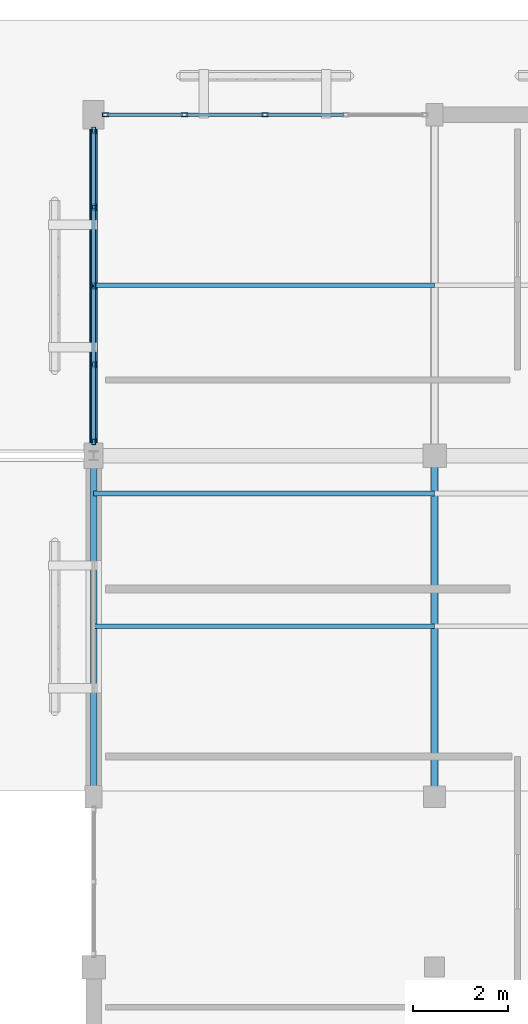
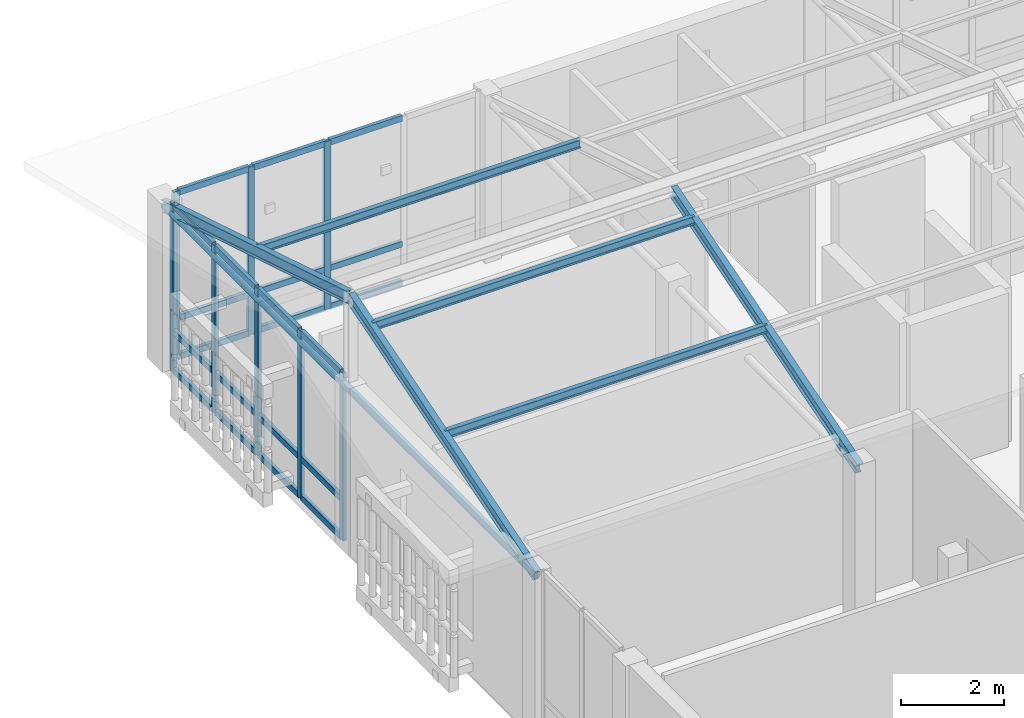
# One storey, part 33 of 61: 36 members, 2 elements without a shape of their own.
"""IFC4 building model written with IfcOpenShell, lengths in metres."""

import ifcopenshell
import ifcopenshell.guid

model = None  # the IFC model being written
_history = None  # IfcOwnerHistory: only IFC2X3 demands one
_inside = {}  # id of a spatial element -> (the spatial element, [elements in it])
_under = {}  # id of a project, library or spatial element -> (it, [spatial elements below it])
_declared = {}  # id of a project -> (the project, [libraries it declares])
_typed = {}  # id of a type object -> (the type object, [elements of that type])
_made_of = {}  # id of a material, layer set ... -> (it, [elements and type objects made of it])


def new_model(schema):
    """Start an empty IFC model of exactly this schema.

    Asked for "IFC4X3", IfcOpenShell would pick the latest addendum, in which some entities
    have other attributes; the version numbers below select the first issue.
    IFC2X3 requires an IfcOwnerHistory on every rooted entity: one is made here for all.
    """
    global model, _history
    if schema == "IFC4X3":
        model = ifcopenshell.file(schema_version=(4, 3, 0, 0))
    else:
        model = ifcopenshell.file(schema=schema)
    _inside.clear()
    _under.clear()
    _declared.clear()
    _typed.clear()
    _made_of.clear()
    _history = None
    if model.schema == "IFC2X3":
        org = make("IfcOrganization", Name="unknown")
        user = make(
            "IfcPersonAndOrganization",
            ThePerson=make("IfcPerson", FamilyName="unknown"),
            TheOrganization=org,
        )
        app = make(
            "IfcApplication",
            ApplicationDeveloper=org,
            Version="unknown",
            ApplicationFullName="unknown",
            ApplicationIdentifier="unknown",
        )
        _history = make(
            "IfcOwnerHistory",
            OwningUser=user,
            OwningApplication=app,
            ChangeAction="ADDED",
            CreationDate=0,
        )
    return model


def make(cls, **values):
    """One entity of the class cls with the attributes given. An attribute that is None is left unset."""
    return model.create_entity(
        cls, **{name: value for name, value in values.items() if value is not None}
    )


def rooted(cls, **values):
    """An entity with a GlobalId (a new one), such as an element, a storey or a relation."""
    return make(cls, GlobalId=ifcopenshell.guid.new(), OwnerHistory=_history, **values)


def si_unit(unit_type, name, prefix=None):
    """IfcSIUnit, for example si_unit("LENGTHUNIT", "METRE", prefix="MILLI")."""
    return make("IfcSIUnit", UnitType=unit_type, Prefix=prefix, Name=name)


def assignment(units):
    """IfcUnitAssignment: the units of a project."""
    return None if units is None else make("IfcUnitAssignment", Units=units)


def point(xyz):
    """IfcCartesianPoint."""
    return None if xyz is None else make("IfcCartesianPoint", Coordinates=xyz)


def direction(xyz):
    """IfcDirection."""
    return None if xyz is None else make("IfcDirection", DirectionRatios=xyz)


def frame(location, z_axis=None, x_axis=None):
    """IfcAxis2Placement3D, a coordinate frame: its origin and axes. An axis left out is left unset."""
    return make(
        "IfcAxis2Placement3D",
        Location=point(location),
        Axis=direction(z_axis),
        RefDirection=direction(x_axis),
    )


def frame_2d(location, x_axis=None):
    """IfcAxis2Placement2D, a coordinate frame in the plane: its origin and x axis."""
    return make(
        "IfcAxis2Placement2D", Location=point(location), RefDirection=direction(x_axis)
    )


def origin():
    """The frame at (0, 0, 0) with its axes left unset."""
    return frame((0.0, 0.0, 0.0))


def origin_2d():
    """The frame at (0, 0) in the plane with its x axis left unset."""
    return frame_2d((0.0, 0.0))


def place(relative_to, where):
    """IfcLocalPlacement: puts the frame where relative to a parent placement (None: the world)."""
    return make(
        "IfcLocalPlacement", PlacementRelTo=relative_to, RelativePlacement=where
    )


def context(
    kind, dimensions, precision=None, world=None, true_north=None, identifier=None
):
    """IfcGeometricRepresentationContext, for example the 3D "Model" context."""
    return make(
        "IfcGeometricRepresentationContext",
        ContextIdentifier=identifier,
        ContextType=kind,
        CoordinateSpaceDimension=dimensions,
        Precision=precision,
        WorldCoordinateSystem=world,
        TrueNorth=true_north,
    )


def subcontext(parent, identifier, kind, view, scale=None):
    """IfcGeometricRepresentationSubContext, for example "Body" below "Model"."""
    return make(
        "IfcGeometricRepresentationSubContext",
        ContextIdentifier=identifier,
        ContextType=kind,
        ParentContext=parent,
        TargetScale=scale,
        TargetView=view,
    )


def project(units=None, contexts=None):
    """IfcProject with its units and contexts."""
    return rooted(
        "IfcProject",
        Name="project",
        RepresentationContexts=contexts,
        UnitsInContext=assignment(units),
    )


def spatial(cls, under=None, at=None, **own):
    """A site, building, storey or space (cls), placed at a placement, below another one or the project."""
    s = rooted(cls, ObjectPlacement=at, **own)
    if under is not None:
        _under.setdefault(under.id(), (under, []))[1].append(s)
    return s


def profile(cls, at=None, kind="AREA", **sizes):
    """A parametric profile (cls). Its sizes go by their IFC names, for example OverallWidth=200.0."""
    return make(cls, ProfileType=kind, Position=at, **sizes)


def hollow_rectangle(**sizes):
    """IfcRectangleHollowProfileDef."""
    return profile("IfcRectangleHollowProfileDef", **sizes)


def hollow_circle(**sizes):
    """IfcCircleHollowProfileDef."""
    return profile("IfcCircleHollowProfileDef", **sizes)


def i_section(**sizes):
    """IfcIShapeProfileDef."""
    return profile("IfcIShapeProfileDef", **sizes)


def extrude(swept, where, along, depth):
    """IfcExtrudedAreaSolid: the profile swept, set in the frame where, extruded along a direction by depth."""
    return make(
        "IfcExtrudedAreaSolid",
        SweptArea=swept,
        Position=where,
        ExtrudedDirection=direction(along),
        Depth=depth,
    )


def shape(context_of_items, identifier, shape_type, items):
    """IfcShapeRepresentation: the items that make up one representation, for example the "Body"."""
    return make(
        "IfcShapeRepresentation",
        ContextOfItems=context_of_items,
        RepresentationIdentifier=identifier,
        RepresentationType=shape_type,
        Items=items,
    )


def material(Name=None, Category=None):
    """IfcMaterial."""
    return make("IfcMaterial", Name=Name, Category=Category)


def layer(
    of_material, thickness, ventilated=None, Name=None, Category=None, Priority=None
):
    """IfcMaterialLayer: one layer of a wall or slab, of a material (None: an air gap)."""
    return make(
        "IfcMaterialLayer",
        Material=of_material,
        LayerThickness=thickness,
        IsVentilated=ventilated,
        Name=Name,
        Category=Category,
        Priority=Priority,
    )


def layer_set(layers, Name=None):
    """IfcMaterialLayerSet."""
    return make("IfcMaterialLayerSet", MaterialLayers=layers, LayerSetName=Name)


def material_profile(
    of_material, cross_section, Name=None, Category=None, Priority=None
):
    """IfcMaterialProfile: a cross section and its material."""
    return make(
        "IfcMaterialProfile",
        Name=Name,
        Material=of_material,
        Profile=cross_section,
        Priority=Priority,
        Category=Category,
    )


def profile_set(profiles, Name=None, composite=None):
    """IfcMaterialProfileSet."""
    return make(
        "IfcMaterialProfileSet",
        Name=Name,
        MaterialProfiles=profiles,
        CompositeProfile=composite,
    )


def made_of(thing, what):
    """Note that an element or type object is made of a material, layer set ...; save() writes the relation."""
    if what is not None:
        _made_of.setdefault(what.id(), (what, []))[1].append(thing)
    return thing


def type_object(cls, material=None, **own):
    """A type object (cls), such as IfcWallType, which elements share."""
    return made_of(rooted(cls, **own), material)


def element(
    cls,
    number,
    at=None,
    inside=None,
    cuts=None,
    type_object=None,
    material=None,
    context=None,
    identifier="Body",
    shape_type=None,
    held_by="IfcProductDefinitionShape",
    body=None,
    shapes=None,
    **own,
):
    """One element of the class cls, such as IfcWall. Its Tag is "e" and its number.

    at: its placement. inside: the storey or other place that contains it. cuts: it is an
    opening in that element (IfcRelVoidsElement). A single representation is given by context,
    identifier, shape_type and body (its items); several are given by shapes. held_by: the class
    of the entity that holds the representations. save() writes the other relations.
    """
    e = rooted(cls, Tag="e%d" % number, ObjectPlacement=at, **own)
    if body is not None:
        shapes = [shape(context, identifier, shape_type, body)]
    if shapes is not None:
        e.Representation = make(held_by, Representations=shapes)
    if inside is not None:
        _inside.setdefault(inside.id(), (inside, []))[1].append(e)
    if cuts is not None:
        rooted(
            "IfcRelVoidsElement", RelatingBuildingElement=cuts, RelatedOpeningElement=e
        )
    if type_object is not None:
        _typed.setdefault(type_object.id(), (type_object, []))[1].append(e)
    return made_of(e, material)


def aggregate(whole, parts):
    """IfcRelAggregates: a whole, such as a stair, and the parts it consists of."""
    return rooted("IfcRelAggregates", RelatingObject=whole, RelatedObjects=parts)


def save(model, path):
    """Write the relations noted so far, then the file.

    IfcRelAggregates (storeys below a building ...), IfcRelContainedInSpatialStructure (elements
    in a storey), IfcRelDefinesByType, IfcRelAssociatesMaterial and IfcRelDeclares: one each for
    every whole, place, type object, material and project.
    """
    for whole, parts in _under.values():
        aggregate(whole, parts)
    for where, things in _inside.values():
        rooted(
            "IfcRelContainedInSpatialStructure",
            RelatedElements=things,
            RelatingStructure=where,
        )
    for kind, things in _typed.values():
        rooted("IfcRelDefinesByType", RelatedObjects=things, RelatingType=kind)
    for what, things in _made_of.values():
        rooted("IfcRelAssociatesMaterial", RelatedObjects=things, RelatingMaterial=what)
    for by, libraries in _declared.values():
        rooted("IfcRelDeclares", RelatingContext=by, RelatedDefinitions=libraries)
    model.write(path)


model = new_model("IFC4")

# Units and contexts
model_context = context("Model", 3, precision=1e-05, world=origin(), true_north=direction((0.0, 1.0)))
body_context = subcontext(model_context, "Body", "Model", "MODEL_VIEW")
ifc_project = project(units=[si_unit("LENGTHUNIT", "METRE"), si_unit("AREAUNIT", "SQUARE_METRE"), si_unit("VOLUMEUNIT", "CUBIC_METRE"), si_unit("PLANEANGLEUNIT", "RADIAN"), si_unit("MASSUNIT", "GRAM", prefix="KILO")], contexts=[model_context])

# Site, building, storey
site_placement = place(None, origin())
site = spatial("IfcSite", under=ifc_project, at=site_placement, CompositionType="ELEMENT")
building_placement = place(site_placement, origin())
building = spatial("IfcBuilding", under=site, at=building_placement, Name="Mazaris Harbour Polytechnic", CompositionType="ELEMENT")
storey_placement = place(building_placement, frame((0.0, 0.0, 18.0)))
storey = spatial("IfcBuildingStorey", under=building, at=storey_placement, Name="L04", CompositionType="ELEMENT", Elevation=18.0)

# Curtain wall, members
ifc_material_1 = material(Name="Anodised Bronze Aluminium and Low-E Glass", Category="aluminium")
ifc_layer = layer(ifc_material_1, 0.169921875, Name="Anodised Bronze Aluminium and Low-E Glass")
ifc_layer_set = layer_set([ifc_layer], Name="Anodised Bronze Aluminium and Low-E Glass")
curtain_wall_type = type_object("IfcCurtainWallType", Name="Studio North-Light Curtain Wall", PredefinedType="NOTDEFINED", material=ifc_layer_set)
curtain_wall_1_placement = place(storey_placement, origin())
curtain_wall_1 = element("IfcCurtainWall", 1, at=curtain_wall_1_placement, inside=storey, type_object=curtain_wall_type, Name="V5 L04 Curtain Wall 271", PredefinedType="NOTDEFINED")
ifc_material_2 = material(Name="Anodised Bronze Steel S355", Category="steel")
ifc_material_profile_1 = material_profile(ifc_material_2, hollow_rectangle(XDim=0.080078125, YDim=0.139892578125, WallThickness=0.00634765625, at=origin_2d()), Name="RHS 80x140x6.3")
ifc_profile_set_1 = profile_set([ifc_material_profile_1], Name="Anodised Bronze Steel S355")
member_type_1 = type_object("IfcMemberType", Name="Curtain Mullion RHS80x140", PredefinedType="MULLION", material=ifc_profile_set_1)
member_1_placement = place(storey_placement, frame((122.652099609375, 100.800048828125, 0.0), z_axis=(0.0, 0.0, 1.0), x_axis=(0.0, 1.0, 0.0)))
member_1 = element("IfcMember", 2, at=member_1_placement, type_object=member_type_1, Name="CW-03 mullion 1", PredefinedType="MULLION", context=body_context, shape_type="SweptSolid", body=[
    extrude(hollow_rectangle(XDim=0.080078125, YDim=0.139892578125, WallThickness=0.00634765625, at=origin_2d()), origin(), (0.0, 0.0, 1.0), 3.9599609375),
])
member_2_placement = place(storey_placement, frame((124.31591796875, 100.800048828125, 0.0), z_axis=(0.0, 0.0, 1.0), x_axis=(0.0, 1.0, 0.0)))
member_2 = element("IfcMember", 3, at=member_2_placement, type_object=member_type_1, Name="CW-03 mullion 2", PredefinedType="MULLION", context=body_context, shape_type="SweptSolid", body=[
    extrude(hollow_rectangle(XDim=0.080078125, YDim=0.139892578125, WallThickness=0.00634765625, at=origin_2d()), origin(), (0.0, 0.0, 1.0), 3.9599609375),
])
member_3_placement = place(storey_placement, frame((126.02001953125, 100.800048828125, 0.0), z_axis=(0.0, 0.0, 1.0), x_axis=(0.0, 1.0, 0.0)))
member_3 = element("IfcMember", 4, at=member_3_placement, type_object=member_type_1, Name="CW-03 mullion 3", PredefinedType="MULLION", context=body_context, shape_type="SweptSolid", body=[
    extrude(hollow_rectangle(XDim=0.080078125, YDim=0.139892578125, WallThickness=0.00634765625, at=origin_2d()), origin(), (0.0, 0.0, 1.0), 3.9599609375),
])

curtain_wall_2_placement = place(storey_placement, origin())
curtain_wall_2 = element("IfcCurtainWall", 5, at=curtain_wall_2_placement, inside=storey, type_object=curtain_wall_type, Name="V5 L04 Curtain Wall 277", PredefinedType="NOTDEFINED")
member_4_placement = place(storey_placement, frame((122.39990234375, 93.902099609375, 0.0), z_axis=(0.0, 0.0, 1.0), x_axis=(-1.0, 0.0, 0.0)))
member_4 = element("IfcMember", 6, at=member_4_placement, type_object=member_type_1, Name="CW-03 mullion 1", PredefinedType="MULLION", context=body_context, shape_type="SweptSolid", body=[
    extrude(hollow_rectangle(XDim=0.080078125, YDim=0.139892578125, WallThickness=0.00634765625, at=origin_2d()), origin(), (0.0, 0.0, 1.0), 3.9599609375),
])
member_5_placement = place(storey_placement, frame((122.39990234375, 95.5234375, 0.0), z_axis=(0.0, 0.0, 1.0), x_axis=(-1.0, 0.0, 0.0)))
member_5 = element("IfcMember", 7, at=member_5_placement, type_object=member_type_1, Name="CW-03 mullion 2", PredefinedType="MULLION", context=body_context, shape_type="SweptSolid", body=[
    extrude(hollow_rectangle(XDim=0.080078125, YDim=0.139892578125, WallThickness=0.00634765625, at=origin_2d()), origin(), (0.0, 0.0, 1.0), 3.9599609375),
])
member_6_placement = place(storey_placement, frame((122.39990234375, 97.18505859375, 0.0), z_axis=(0.0, 0.0, 1.0), x_axis=(-1.0, 0.0, 0.0)))
member_6 = element("IfcMember", 8, at=member_6_placement, type_object=member_type_1, Name="CW-03 mullion 3", PredefinedType="MULLION", context=body_context, shape_type="SweptSolid", body=[
    extrude(hollow_rectangle(XDim=0.080078125, YDim=0.139892578125, WallThickness=0.00634765625, at=origin_2d()), origin(), (0.0, 0.0, 1.0), 3.9599609375),
])
member_7_placement = place(storey_placement, frame((122.39990234375, 98.846435546875, 0.0), z_axis=(0.0, 0.0, 1.0), x_axis=(-1.0, 0.0, 0.0)))
member_7 = element("IfcMember", 9, at=member_7_placement, type_object=member_type_1, Name="CW-03 mullion 4", PredefinedType="MULLION", context=body_context, shape_type="SweptSolid", body=[
    extrude(hollow_rectangle(XDim=0.080078125, YDim=0.139892578125, WallThickness=0.00634765625, at=origin_2d()), origin(), (0.0, 0.0, 1.0), 3.9599609375),
])
member_8_placement = place(storey_placement, frame((122.39990234375, 100.468017578125, 0.0), z_axis=(0.0, 0.0, 1.0), x_axis=(-1.0, 0.0, 0.0)))
member_8 = element("IfcMember", 10, at=member_8_placement, type_object=member_type_1, Name="CW-03 mullion 5", PredefinedType="MULLION", context=body_context, shape_type="SweptSolid", body=[
    extrude(hollow_rectangle(XDim=0.080078125, YDim=0.139892578125, WallThickness=0.00634765625, at=origin_2d()), origin(), (0.0, 0.0, 1.0), 3.9599609375),
])

# Member
ifc_material_3 = material(Name="Anodised Bronze Steel S355", Category="steel")
ifc_material_profile_2 = material_profile(ifc_material_3, hollow_rectangle(XDim=0.080078125, YDim=0.139892578125, WallThickness=0.00634765625, at=origin_2d()), Name="RHS 80x140x6.3")
ifc_profile_set_2 = profile_set([ifc_material_profile_2], Name="Anodised Bronze Steel S355")
member_type_2 = type_object("IfcMemberType", Name="Curtain Transom RHS80x140", PredefinedType="USERDEFINED", material=ifc_profile_set_2)
member_9_placement = place(storey_placement, frame((122.69189453125, 100.800048828125, 0.0400390625), z_axis=(1.0, 0.0, 0.0), x_axis=(0.0, 1.0, 0.0)))
member_9 = element("IfcMember", 11, at=member_9_placement, type_object=member_type_2, Name="CW-03 transom 1.1", ObjectType="TRANSOM", PredefinedType="USERDEFINED", context=body_context, shape_type="SweptSolid", body=[
    extrude(hollow_rectangle(XDim=0.080078125, YDim=0.139892578125, WallThickness=0.00634765625, at=origin_2d()), origin(), (0.0, 0.0, 1.0), 1.583984375),
])

member_10_placement = place(storey_placement, frame((122.69189453125, 100.800048828125, 0.949951171875), z_axis=(1.0, 0.0, 0.0), x_axis=(0.0, 1.0, 0.0)))
member_10 = element("IfcMember", 12, at=member_10_placement, type_object=member_type_2, Name="CW-03 transom 1.2", ObjectType="TRANSOM", PredefinedType="USERDEFINED", context=body_context, shape_type="SweptSolid", body=[
    extrude(hollow_rectangle(XDim=0.080078125, YDim=0.139892578125, WallThickness=0.00634765625, at=origin_2d()), origin(), (0.0, 0.0, 1.0), 1.583984375),
])

member_11_placement = place(storey_placement, frame((122.69189453125, 100.800048828125, 3.919921875), z_axis=(1.0, 0.0, 0.0), x_axis=(0.0, 1.0, 0.0)))
member_11 = element("IfcMember", 13, at=member_11_placement, type_object=member_type_2, Name="CW-03 transom 1.3", ObjectType="TRANSOM", PredefinedType="USERDEFINED", context=body_context, shape_type="SweptSolid", body=[
    extrude(hollow_rectangle(XDim=0.080078125, YDim=0.139892578125, WallThickness=0.00634765625, at=origin_2d()), origin(), (0.0, 0.0, 1.0), 1.583984375),
])

member_12_placement = place(storey_placement, frame((124.35595703125, 100.800048828125, 0.0400390625), z_axis=(1.0, 0.0, 0.0), x_axis=(0.0, 1.0, 0.0)))
member_12 = element("IfcMember", 14, at=member_12_placement, type_object=member_type_2, Name="CW-03 transom 2.1", ObjectType="TRANSOM", PredefinedType="USERDEFINED", context=body_context, shape_type="SweptSolid", body=[
    extrude(hollow_rectangle(XDim=0.080078125, YDim=0.139892578125, WallThickness=0.00634765625, at=origin_2d()), origin(), (0.0, 0.0, 1.0), 1.6240234375),
])

member_13_placement = place(storey_placement, frame((124.35595703125, 100.800048828125, 0.949951171875), z_axis=(1.0, 0.0, 0.0), x_axis=(0.0, 1.0, 0.0)))
member_13 = element("IfcMember", 15, at=member_13_placement, type_object=member_type_2, Name="CW-03 transom 2.2", ObjectType="TRANSOM", PredefinedType="USERDEFINED", context=body_context, shape_type="SweptSolid", body=[
    extrude(hollow_rectangle(XDim=0.080078125, YDim=0.139892578125, WallThickness=0.00634765625, at=origin_2d()), origin(), (0.0, 0.0, 1.0), 1.6240234375),
])

member_14_placement = place(storey_placement, frame((124.35595703125, 100.800048828125, 3.919921875), z_axis=(1.0, 0.0, 0.0), x_axis=(0.0, 1.0, 0.0)))
member_14 = element("IfcMember", 16, at=member_14_placement, type_object=member_type_2, Name="CW-03 transom 2.3", ObjectType="TRANSOM", PredefinedType="USERDEFINED", context=body_context, shape_type="SweptSolid", body=[
    extrude(hollow_rectangle(XDim=0.080078125, YDim=0.139892578125, WallThickness=0.00634765625, at=origin_2d()), origin(), (0.0, 0.0, 1.0), 1.6240234375),
])

member_15_placement = place(storey_placement, frame((126.06005859375, 100.800048828125, 0.0400390625), z_axis=(1.0, 0.0, 0.0), x_axis=(0.0, 1.0, 0.0)))
member_15 = element("IfcMember", 17, at=member_15_placement, type_object=member_type_2, Name="CW-03 transom 3.1", ObjectType="TRANSOM", PredefinedType="USERDEFINED", context=body_context, shape_type="SweptSolid", body=[
    extrude(hollow_rectangle(XDim=0.080078125, YDim=0.139892578125, WallThickness=0.00634765625, at=origin_2d()), origin(), (0.0, 0.0, 1.0), 1.6240234375),
])

member_16_placement = place(storey_placement, frame((126.06005859375, 100.800048828125, 0.949951171875), z_axis=(1.0, 0.0, 0.0), x_axis=(0.0, 1.0, 0.0)))
member_16 = element("IfcMember", 18, at=member_16_placement, type_object=member_type_2, Name="CW-03 transom 3.2", ObjectType="TRANSOM", PredefinedType="USERDEFINED", context=body_context, shape_type="SweptSolid", body=[
    extrude(hollow_rectangle(XDim=0.080078125, YDim=0.139892578125, WallThickness=0.00634765625, at=origin_2d()), origin(), (0.0, 0.0, 1.0), 1.6240234375),
])

member_17_placement = place(storey_placement, frame((126.06005859375, 100.800048828125, 3.919921875), z_axis=(1.0, 0.0, 0.0), x_axis=(0.0, 1.0, 0.0)))
member_17 = element("IfcMember", 19, at=member_17_placement, type_object=member_type_2, Name="CW-03 transom 3.3", ObjectType="TRANSOM", PredefinedType="USERDEFINED", context=body_context, shape_type="SweptSolid", body=[
    extrude(hollow_rectangle(XDim=0.080078125, YDim=0.139892578125, WallThickness=0.00634765625, at=origin_2d()), origin(), (0.0, 0.0, 1.0), 1.6240234375),
])

aggregate(curtain_wall_1, [member_1, member_2, member_3, member_9, member_10, member_11, member_12, member_13, member_14, member_15, member_16, member_17])

member_18_placement = place(storey_placement, frame((122.39990234375, 93.94189453125, 0.0400390625), z_axis=(0.0, 1.0, 0.0), x_axis=(-1.0, 0.0, 0.0)))
member_18 = element("IfcMember", 20, at=member_18_placement, type_object=member_type_2, Name="CW-03 transom 1.1", ObjectType="TRANSOM", PredefinedType="USERDEFINED", context=body_context, shape_type="SweptSolid", body=[
    extrude(hollow_rectangle(XDim=0.080078125, YDim=0.139892578125, WallThickness=0.00634765625, at=origin_2d()), origin(), (0.0, 0.0, 1.0), 1.54150390625),
])

member_19_placement = place(storey_placement, frame((122.39990234375, 93.94189453125, 0.949951171875), z_axis=(0.0, 1.0, 0.0), x_axis=(-1.0, 0.0, 0.0)))
member_19 = element("IfcMember", 21, at=member_19_placement, type_object=member_type_2, Name="CW-03 transom 1.2", ObjectType="TRANSOM", PredefinedType="USERDEFINED", context=body_context, shape_type="SweptSolid", body=[
    extrude(hollow_rectangle(XDim=0.080078125, YDim=0.139892578125, WallThickness=0.00634765625, at=origin_2d()), origin(), (0.0, 0.0, 1.0), 1.54150390625),
])

member_20_placement = place(storey_placement, frame((122.39990234375, 93.94189453125, 3.919921875), z_axis=(0.0, 1.0, 0.0), x_axis=(-1.0, 0.0, 0.0)))
member_20 = element("IfcMember", 22, at=member_20_placement, type_object=member_type_2, Name="CW-03 transom 1.3", ObjectType="TRANSOM", PredefinedType="USERDEFINED", context=body_context, shape_type="SweptSolid", body=[
    extrude(hollow_rectangle(XDim=0.080078125, YDim=0.139892578125, WallThickness=0.00634765625, at=origin_2d()), origin(), (0.0, 0.0, 1.0), 1.54150390625),
])

member_21_placement = place(storey_placement, frame((122.39990234375, 95.5634765625, 0.0400390625), z_axis=(0.0, 1.0, 0.0), x_axis=(-1.0, 0.0, 0.0)))
member_21 = element("IfcMember", 23, at=member_21_placement, type_object=member_type_2, Name="CW-03 transom 2.1", ObjectType="TRANSOM", PredefinedType="USERDEFINED", context=body_context, shape_type="SweptSolid", body=[
    extrude(hollow_rectangle(XDim=0.080078125, YDim=0.139892578125, WallThickness=0.00634765625, at=origin_2d()), origin(), (0.0, 0.0, 1.0), 1.58154296875),
])

member_22_placement = place(storey_placement, frame((122.39990234375, 95.5634765625, 0.949951171875), z_axis=(0.0, 1.0, 0.0), x_axis=(-1.0, 0.0, 0.0)))
member_22 = element("IfcMember", 24, at=member_22_placement, type_object=member_type_2, Name="CW-03 transom 2.2", ObjectType="TRANSOM", PredefinedType="USERDEFINED", context=body_context, shape_type="SweptSolid", body=[
    extrude(hollow_rectangle(XDim=0.080078125, YDim=0.139892578125, WallThickness=0.00634765625, at=origin_2d()), origin(), (0.0, 0.0, 1.0), 1.58154296875),
])

member_23_placement = place(storey_placement, frame((122.39990234375, 95.5634765625, 3.919921875), z_axis=(0.0, 1.0, 0.0), x_axis=(-1.0, 0.0, 0.0)))
member_23 = element("IfcMember", 25, at=member_23_placement, type_object=member_type_2, Name="CW-03 transom 2.3", ObjectType="TRANSOM", PredefinedType="USERDEFINED", context=body_context, shape_type="SweptSolid", body=[
    extrude(hollow_rectangle(XDim=0.080078125, YDim=0.139892578125, WallThickness=0.00634765625, at=origin_2d()), origin(), (0.0, 0.0, 1.0), 1.58154296875),
])

member_24_placement = place(storey_placement, frame((122.39990234375, 97.22509765625, 0.0400390625), z_axis=(0.0, 1.0, 0.0), x_axis=(-1.0, 0.0, 0.0)))
member_24 = element("IfcMember", 26, at=member_24_placement, type_object=member_type_2, Name="CW-03 transom 3.1", ObjectType="TRANSOM", PredefinedType="USERDEFINED", context=body_context, shape_type="SweptSolid", body=[
    extrude(hollow_rectangle(XDim=0.080078125, YDim=0.139892578125, WallThickness=0.00634765625, at=origin_2d()), origin(), (0.0, 0.0, 1.0), 1.581298828125),
])

member_25_placement = place(storey_placement, frame((122.39990234375, 97.22509765625, 0.949951171875), z_axis=(0.0, 1.0, 0.0), x_axis=(-1.0, 0.0, 0.0)))
member_25 = element("IfcMember", 27, at=member_25_placement, type_object=member_type_2, Name="CW-03 transom 3.2", ObjectType="TRANSOM", PredefinedType="USERDEFINED", context=body_context, shape_type="SweptSolid", body=[
    extrude(hollow_rectangle(XDim=0.080078125, YDim=0.139892578125, WallThickness=0.00634765625, at=origin_2d()), origin(), (0.0, 0.0, 1.0), 1.581298828125),
])

member_26_placement = place(storey_placement, frame((122.39990234375, 97.22509765625, 3.919921875), z_axis=(0.0, 1.0, 0.0), x_axis=(-1.0, 0.0, 0.0)))
member_26 = element("IfcMember", 28, at=member_26_placement, type_object=member_type_2, Name="CW-03 transom 3.3", ObjectType="TRANSOM", PredefinedType="USERDEFINED", context=body_context, shape_type="SweptSolid", body=[
    extrude(hollow_rectangle(XDim=0.080078125, YDim=0.139892578125, WallThickness=0.00634765625, at=origin_2d()), origin(), (0.0, 0.0, 1.0), 1.581298828125),
])

member_27_placement = place(storey_placement, frame((122.39990234375, 98.886474609375, 0.0400390625), z_axis=(0.0, 1.0, 0.0), x_axis=(-1.0, 0.0, 0.0)))
member_27 = element("IfcMember", 29, at=member_27_placement, type_object=member_type_2, Name="CW-03 transom 4.1", ObjectType="TRANSOM", PredefinedType="USERDEFINED", context=body_context, shape_type="SweptSolid", body=[
    extrude(hollow_rectangle(XDim=0.080078125, YDim=0.139892578125, WallThickness=0.00634765625, at=origin_2d()), origin(), (0.0, 0.0, 1.0), 1.54150390625),
])

member_28_placement = place(storey_placement, frame((122.39990234375, 98.886474609375, 0.949951171875), z_axis=(0.0, 1.0, 0.0), x_axis=(-1.0, 0.0, 0.0)))
member_28 = element("IfcMember", 30, at=member_28_placement, type_object=member_type_2, Name="CW-03 transom 4.2", ObjectType="TRANSOM", PredefinedType="USERDEFINED", context=body_context, shape_type="SweptSolid", body=[
    extrude(hollow_rectangle(XDim=0.080078125, YDim=0.139892578125, WallThickness=0.00634765625, at=origin_2d()), origin(), (0.0, 0.0, 1.0), 1.54150390625),
])

member_29_placement = place(storey_placement, frame((122.39990234375, 98.886474609375, 3.919921875), z_axis=(0.0, 1.0, 0.0), x_axis=(-1.0, 0.0, 0.0)))
member_29 = element("IfcMember", 31, at=member_29_placement, type_object=member_type_2, Name="CW-03 transom 4.3", ObjectType="TRANSOM", PredefinedType="USERDEFINED", context=body_context, shape_type="SweptSolid", body=[
    extrude(hollow_rectangle(XDim=0.080078125, YDim=0.139892578125, WallThickness=0.00634765625, at=origin_2d()), origin(), (0.0, 0.0, 1.0), 1.54150390625),
])

aggregate(curtain_wall_2, [member_4, member_5, member_6, member_7, member_8, member_18, member_19, member_20, member_21, member_22, member_23, member_24, member_25, member_26, member_27, member_28, member_29])

# Members
ifc_material_4 = material(Name="Steel S355", Category="steel")
ifc_material_profile_3 = material_profile(ifc_material_4, i_section(OverallWidth=0.10009765625, OverallDepth=0.199951171875, WebThickness=0.005615234375, FlangeThickness=0.008544921875, FilletRadius=0.011962890625, at=origin_2d()), Name="IPE 200")
ifc_profile_set_3 = profile_set([ifc_material_profile_3], Name="Steel S355")
member_type_3 = type_object("IfcMemberType", Name="Steel Purlin IPE200", PredefinedType="PURLIN", material=ifc_profile_set_3)
for number, where, z_axis, x_axis, name in (
    (32, (122.39990234375, 90.0, 4.840087890625), (1.0, 0.0, 0.0), (0.0, 1.0, 0.0), "V5 Studio Roof Purlin 187"),
    (33, (122.39990234375, 92.800048828125, 5.699951171875), (1.0, 0.0, 0.0), (0.0, 1.0, 0.0), "V5 Studio Roof Purlin 188"),
    (34, (122.39990234375, 97.199951171875, 4.840087890625), (1.0, 0.0, 0.0), (0.0, 1.0, 0.0), "V5 Studio Roof Purlin 189"),
):
    element("IfcMember", number, at=place(storey_placement, frame(where, z_axis=z_axis, x_axis=x_axis)), inside=storey, type_object=member_type_3, Name=name, PredefinedType="PURLIN", context=body_context, shape_type="SweptSolid", body=[
        extrude(i_section(OverallWidth=0.10009765625, OverallDepth=0.199951171875, WebThickness=0.005615234375, FlangeThickness=0.008544921875, FilletRadius=0.011962890625, at=origin_2d()), origin(), (0.0, 0.0, 1.0), 7.2001953125),
    ])
ifc_material_5 = material(Name="Steel S355", Category="steel")
ifc_material_profile_4 = material_profile(ifc_material_5, i_section(OverallWidth=0.135009765625, OverallDepth=0.27001953125, WebThickness=0.006591796875, FlangeThickness=0.01025390625, FilletRadius=0.014892578125, at=origin_2d()), Name="IPE 270")
ifc_profile_set_4 = profile_set([ifc_material_profile_4], Name="Steel S355")
member_type_4 = type_object("IfcMemberType", Name="Steel Rafter IPE270", PredefinedType="RAFTER", material=ifc_profile_set_4)
member_30_placement = place(storey_placement, frame((122.39990234375, 86.39990234375, 3.699951171875), z_axis=(0.0, 0.956355598669, 0.292205353981), x_axis=(-1.0, 0.0, 0.0)))
element("IfcMember", 35, at=member_30_placement, inside=storey, type_object=member_type_4, Name="V5 Studio South Rafter 12", PredefinedType="RAFTER", context=body_context, shape_type="SweptSolid", body=[
    extrude(i_section(OverallWidth=0.135009765625, OverallDepth=0.27001953125, WebThickness=0.006591796875, FlangeThickness=0.01025390625, FilletRadius=0.014892578125, at=origin_2d()), origin(), (0.0, 0.0, 1.0), 7.52880859375),
])
member_31_placement = place(storey_placement, frame((122.39990234375, 93.60009765625, 5.89990234375), z_axis=(0.0, 0.95635282974, -0.292214416222), x_axis=(-1.0, 0.0, 0.0)))
element("IfcMember", 36, at=member_31_placement, inside=storey, type_object=member_type_4, Name="V5 Studio North Rafter 12", PredefinedType="RAFTER", context=body_context, shape_type="SweptSolid", body=[
    extrude(i_section(OverallWidth=0.135009765625, OverallDepth=0.27001953125, WebThickness=0.006591796875, FlangeThickness=0.01025390625, FilletRadius=0.014892578125, at=origin_2d()), origin(), (0.0, 0.0, 1.0), 7.528564453125),
])
member_32_placement = place(storey_placement, frame((129.60009765625, 86.39990234375, 3.699951171875), z_axis=(0.0, 0.956355598669, 0.292205353981), x_axis=(-1.0, 0.0, 0.0)))
element("IfcMember", 37, at=member_32_placement, inside=storey, type_object=member_type_4, Name="V5 Studio South Rafter 13", PredefinedType="RAFTER", context=body_context, shape_type="SweptSolid", body=[
    extrude(i_section(OverallWidth=0.135009765625, OverallDepth=0.27001953125, WebThickness=0.006591796875, FlangeThickness=0.01025390625, FilletRadius=0.014892578125, at=origin_2d()), origin(), (0.0, 0.0, 1.0), 7.52880859375),
])
ifc_material_6 = material(Name="Steel S355", Category="steel")
ifc_material_profile_5 = material_profile(ifc_material_6, hollow_circle(Radius=0.084228515625, WallThickness=0.008056640625, at=origin_2d()), Name="CHS 168.3x8.0")
ifc_profile_set_5 = profile_set([ifc_material_profile_5], Name="Steel S355")
member_type_5 = type_object("IfcMemberType", Name="Steel Truss Strut CHS168", PredefinedType="STRUT", material=ifc_profile_set_5)
member_33_placement = place(storey_placement, frame((122.39990234375, 86.39990234375, 3.699951171875), z_axis=(0.0, 1.0, 0.0), x_axis=(-1.0, 0.0, 0.0)))
element("IfcMember", 38, at=member_33_placement, inside=storey, type_object=member_type_5, Name="V5 Studio Tie 12", PredefinedType="STRUT", context=body_context, shape_type="SweptSolid", body=[
    extrude(hollow_circle(Radius=0.084228515625, WallThickness=0.008056640625, at=origin_2d()), origin(), (0.0, 0.0, 1.0), 14.400146484375),
])

save(model, "model.ifc")
